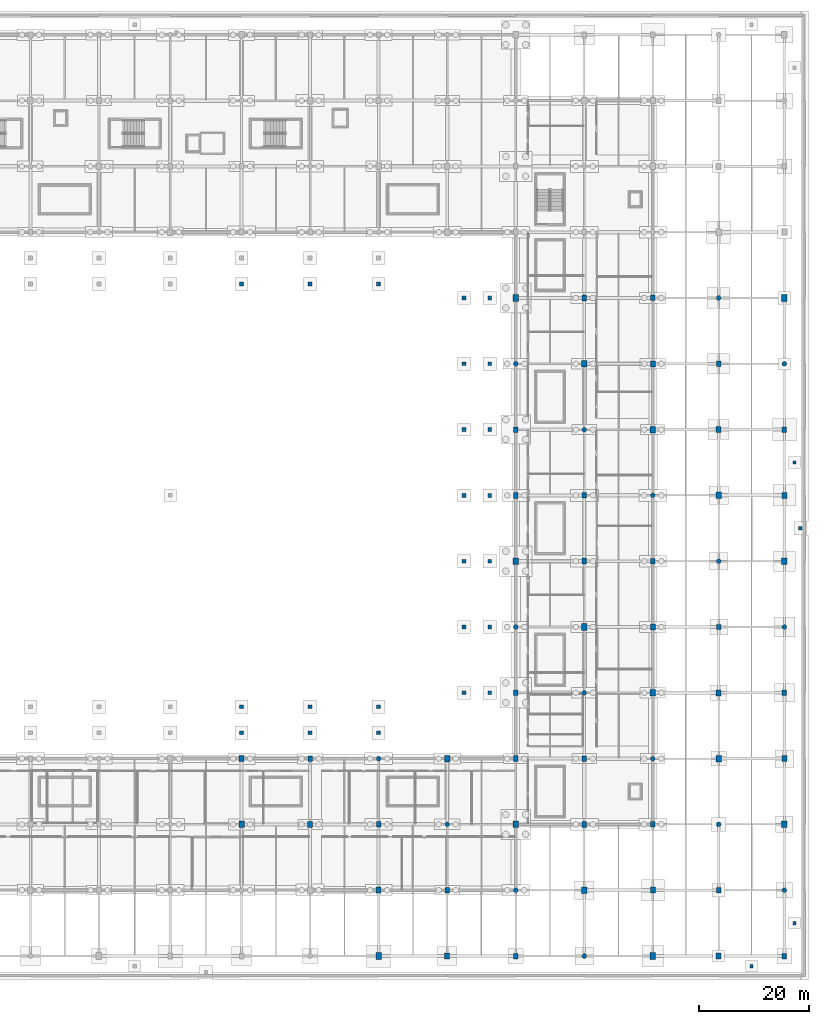
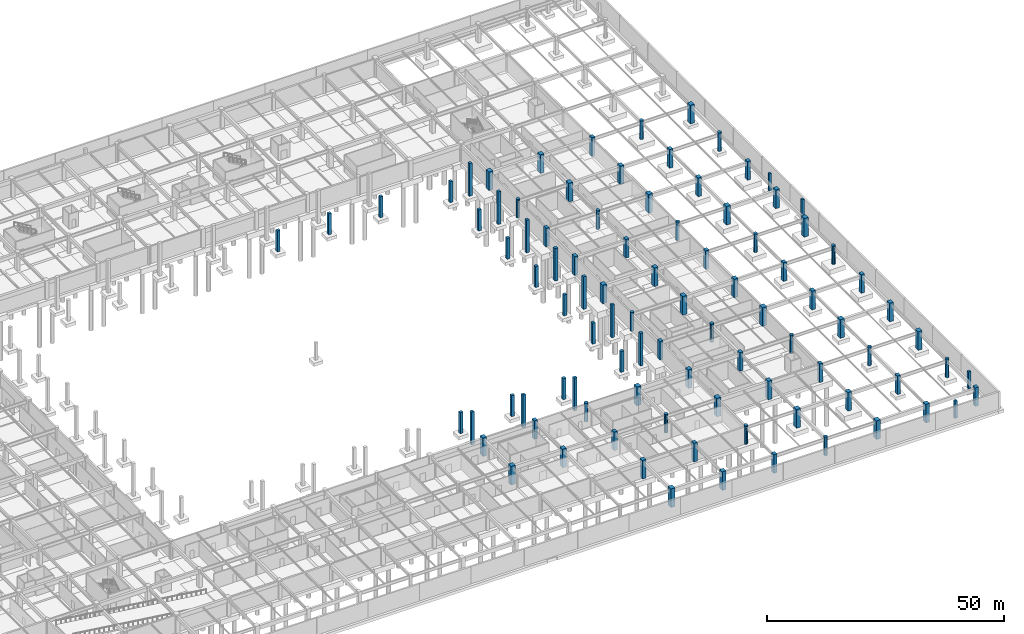
# One storey, part 13 of 56: 94 columns.
"""IFC4 building model written with IfcOpenShell, lengths in metres."""

from ifc_helpers import new_model, si_unit, direction, frame, origin, origin_2d, place, context, subcontext, project, spatial, rectangle, circle, extrude, material, material_profile, profile_set, type_object, element, save


model = new_model("IFC4")

# Units and contexts
model_context = context("Model", 3, precision=1e-05, world=origin(), true_north=direction((0.0, 1.0)))
body_context = subcontext(model_context, "Body", "Model", "MODEL_VIEW")
ifc_project = project(units=[si_unit("LENGTHUNIT", "METRE"), si_unit("AREAUNIT", "SQUARE_METRE"), si_unit("VOLUMEUNIT", "CUBIC_METRE"), si_unit("PLANEANGLEUNIT", "RADIAN"), si_unit("MASSUNIT", "GRAM", prefix="KILO")], contexts=[model_context])

# Site, building, storey
site_placement = place(None, origin())
site = spatial("IfcSite", under=ifc_project, at=site_placement, CompositionType="ELEMENT")
building_placement = place(site_placement, origin())
building = spatial("IfcBuilding", under=site, at=building_placement, Name="Kazenohara Klinker Stadium", CompositionType="ELEMENT")
storey_placement = place(building_placement, frame((0.0, 0.0, -4.800048828125)))
storey = spatial("IfcBuildingStorey", under=building, at=storey_placement, Name="B01", CompositionType="ELEMENT", Elevation=-4.800048828125)

# Columns
ifc_material = material(Name="Concrete C40/50", Category="concrete")
ifc_material_profile_1 = material_profile(ifc_material, rectangle(XDim=1.0, YDim=1.199951171875, at=origin_2d()), Name="RC-COL-1200x1000")
ifc_profile_set_1 = profile_set([ifc_material_profile_1], Name="Concrete C40/50")
column_type_1 = type_object("IfcColumnType", Name="COL-RC01", PredefinedType="COLUMN", material=ifc_profile_set_1)
for number, where, z_axis, x_axis, name in (
    (1, (125.0, 24.0, 0.0), (0.0, 0.0, 1.0), (1.0, 0.0, 0.0), "Column C01 B01 11/C"),
    (2, (150.0, 0.0, 0.0), (0.0, 0.0, 1.0), (1.0, 0.0, 0.0), "Column C01 B01 13/A"),
    (3, (162.5, 36.0, 0.0), (0.0, 0.0, 1.0), (1.0, 0.0, 0.0), "Column C01 B01 14/D"),
    (4, (175.0, 24.0, 0.0), (0.0, 0.0, 1.0), (1.0, 0.0, 0.0), "Column C01 B01 15/C"),
    (5, (175.0, 72.0, 0.0), (0.0, 0.0, 1.0), (1.0, 0.0, 0.0), "Column C01 B01 15/G"),
    (6, (175.0, 120.0, 0.0), (0.0, 0.0, 1.0), (1.0, 0.0, 0.0), "Column C01 B01 15/L"),
    (7, (187.5, 12.0, 0.0), (0.0, 0.0, 1.0), (1.0, 0.0, 0.0), "Column C01 B01 16/B"),
    (8, (187.5, 60.0, 0.0), (0.0, 0.0, 1.0), (1.0, 0.0, 0.0), "Column C01 B01 16/F"),
    (9, (187.5, 108.0, 0.0), (0.0, 0.0, 1.0), (1.0, 0.0, 0.0), "Column C01 B01 16/K"),
    (10, (200.0, 0.0, 0.0), (0.0, 0.0, 1.0), (1.0, 0.0, 0.0), "Column C01 B01 17/A"),
    (11, (200.0, 48.0, 0.0), (0.0, 0.0, 1.0), (1.0, 0.0, 0.0), "Column C01 B01 17/E"),
    (12, (200.0, 96.0, 0.0), (0.0, 0.0, 1.0), (1.0, 0.0, 0.0), "Column C01 B01 17/J"),
    (13, (212.0, 36.0, 0.0), (0.0, 0.0, 1.0), (1.0, 0.0, 0.0), "Column C01 B01 18/D"),
    (14, (212.0, 84.0, 0.0), (0.0, 0.0, 1.0), (1.0, 0.0, 0.0), "Column C01 B01 18/H"),
    (15, (224.0, 24.0, 0.0), (0.0, 0.0, 1.0), (1.0, 0.0, 0.0), "Column C01 B01 19/C"),
    (16, (224.0, 72.0, 0.0), (0.0, 0.0, 1.0), (1.0, 0.0, 0.0), "Column C01 B01 19/G"),
    (17, (224.0, 120.0, 0.0), (0.0, 0.0, 1.0), (1.0, 0.0, 0.0), "Column C01 B01 19/L"),
):
    element("IfcColumn", number, at=place(storey_placement, frame(where, z_axis=z_axis, x_axis=x_axis)), inside=storey, type_object=column_type_1, Name=name, PredefinedType="COLUMN", context=body_context, shape_type="SweptSolid", body=[
        extrude(rectangle(XDim=1.0, YDim=1.199951171875, at=origin_2d()), origin(), (0.0, 0.0, 1.0), 4.800048828125),
    ])
ifc_material_profile_2 = material_profile(ifc_material, rectangle(XDim=0.89990234375, YDim=1.10009765625, at=origin_2d()), Name="RC-COL-1100x900")
ifc_profile_set_2 = profile_set([ifc_material_profile_2], Name="Concrete C40/50")
column_type_2 = type_object("IfcColumnType", Name="COL-RC02", PredefinedType="COLUMN", material=ifc_profile_set_2)
for number, where, z_axis, x_axis, name in (
    (18, (125.0, 36.0, 0.0), (0.0, 0.0, 1.0), (1.0, 0.0, 0.0), "Column C02 B01 11/D"),
    (19, (137.5, 24.0, 0.0), (0.0, 0.0, 1.0), (1.0, 0.0, 0.0), "Column C02 B01 12/C"),
    (20, (150.0, 12.0, 0.0), (0.0, 0.0, 1.0), (1.0, 0.0, 0.0), "Column C02 B01 13/B"),
    (21, (162.5, 0.0, 0.0), (0.0, 0.0, 1.0), (1.0, 0.0, 0.0), "Column C02 B01 14/A"),
    (22, (175.0, 36.0, 0.0), (0.0, 0.0, 1.0), (1.0, 0.0, 0.0), "Column C02 B01 15/D"),
    (23, (175.0, 84.0, 0.0), (0.0, 0.0, 1.0), (1.0, 0.0, 0.0), "Column C02 B01 15/H"),
    (24, (187.5, 24.0, 0.0), (0.0, 0.0, 1.0), (1.0, 0.0, 0.0), "Column C02 B01 16/C"),
    (25, (187.5, 72.0, 0.0), (0.0, 0.0, 1.0), (1.0, 0.0, 0.0), "Column C02 B01 16/G"),
    (26, (187.5, 120.0, 0.0), (0.0, 0.0, 1.0), (1.0, 0.0, 0.0), "Column C02 B01 16/L"),
    (27, (200.0, 12.0, 0.0), (0.0, 0.0, 1.0), (1.0, 0.0, 0.0), "Column C02 B01 17/B"),
    (28, (200.0, 60.0, 0.0), (0.0, 0.0, 1.0), (1.0, 0.0, 0.0), "Column C02 B01 17/F"),
    (29, (200.0, 108.0, 0.0), (0.0, 0.0, 1.0), (1.0, 0.0, 0.0), "Column C02 B01 17/K"),
    (30, (212.0, 0.0, 0.0), (0.0, 0.0, 1.0), (1.0, 0.0, 0.0), "Column C02 B01 18/A"),
    (31, (212.0, 48.0, 0.0), (0.0, 0.0, 1.0), (1.0, 0.0, 0.0), "Column C02 B01 18/E"),
    (32, (212.0, 96.0, 0.0), (0.0, 0.0, 1.0), (1.0, 0.0, 0.0), "Column C02 B01 18/J"),
    (33, (224.0, 36.0, 0.0), (0.0, 0.0, 1.0), (1.0, 0.0, 0.0), "Column C02 B01 19/D"),
    (34, (224.0, 84.0, 0.0), (0.0, 0.0, 1.0), (1.0, 0.0, 0.0), "Column C02 B01 19/H"),
):
    element("IfcColumn", number, at=place(storey_placement, frame(where, z_axis=z_axis, x_axis=x_axis)), inside=storey, type_object=column_type_2, Name=name, PredefinedType="COLUMN", context=body_context, shape_type="SweptSolid", body=[
        extrude(rectangle(XDim=0.89990234375, YDim=1.10009765625, at=origin_2d()), origin(), (0.0, 0.0, 1.0), 4.800048828125),
    ])
ifc_material_profile_3 = material_profile(ifc_material, rectangle(XDim=0.800048828125, YDim=1.0, at=origin_2d()), Name="RC-COL-1000x800")
ifc_profile_set_3 = profile_set([ifc_material_profile_3], Name="Concrete C40/50")
column_type_3 = type_object("IfcColumnType", Name="COL-RC03", PredefinedType="COLUMN", material=ifc_profile_set_3)
for number, where, z_axis, x_axis, name in (
    (35, (137.5, 36.0, 0.0), (0.0, 0.0, 1.0), (1.0, 0.0, 0.0), "Column C03 B01 12/D"),
    (36, (150.0, 24.0, 0.0), (0.0, 0.0, 1.0), (1.0, 0.0, 0.0), "Column C03 B01 13/C"),
    (37, (162.5, 12.0, 0.0), (0.0, 0.0, 1.0), (1.0, 0.0, 0.0), "Column C03 B01 14/B"),
    (38, (175.0, 0.0, 0.0), (0.0, 0.0, 1.0), (1.0, 0.0, 0.0), "Column C03 B01 15/A"),
    (39, (175.0, 48.0, 0.0), (0.0, 0.0, 1.0), (1.0, 0.0, 0.0), "Column C03 B01 15/E"),
    (40, (175.0, 96.0, 0.0), (0.0, 0.0, 1.0), (1.0, 0.0, 0.0), "Column C03 B01 15/J"),
    (41, (187.5, 36.0, 0.0), (0.0, 0.0, 1.0), (1.0, 0.0, 0.0), "Column C03 B01 16/D"),
    (42, (187.5, 84.0, 0.0), (0.0, 0.0, 1.0), (1.0, 0.0, 0.0), "Column C03 B01 16/H"),
    (43, (200.0, 24.0, 0.0), (0.0, 0.0, 1.0), (1.0, 0.0, 0.0), "Column C03 B01 17/C"),
    (44, (200.0, 72.0, 0.0), (0.0, 0.0, 1.0), (1.0, 0.0, 0.0), "Column C03 B01 17/G"),
    (45, (200.0, 120.0, 0.0), (0.0, 0.0, 1.0), (1.0, 0.0, 0.0), "Column C03 B01 17/L"),
    (46, (212.0, 12.0, 0.0), (0.0, 0.0, 1.0), (1.0, 0.0, 0.0), "Column C03 B01 18/B"),
    (47, (212.0, 60.0, 0.0), (0.0, 0.0, 1.0), (1.0, 0.0, 0.0), "Column C03 B01 18/F"),
    (48, (212.0, 108.0, 0.0), (0.0, 0.0, 1.0), (1.0, 0.0, 0.0), "Column C03 B01 18/K"),
    (49, (224.0, 0.0, 0.0), (0.0, 0.0, 1.0), (1.0, 0.0, 0.0), "Column C03 B01 19/A"),
    (50, (224.0, 48.0, 0.0), (0.0, 0.0, 1.0), (1.0, 0.0, 0.0), "Column C03 B01 19/E"),
    (51, (224.0, 96.0, 0.0), (0.0, 0.0, 1.0), (1.0, 0.0, 0.0), "Column C03 B01 19/J"),
):
    element("IfcColumn", number, at=place(storey_placement, frame(where, z_axis=z_axis, x_axis=x_axis)), inside=storey, type_object=column_type_3, Name=name, PredefinedType="COLUMN", context=body_context, shape_type="SweptSolid", body=[
        extrude(rectangle(XDim=0.800048828125, YDim=1.0, at=origin_2d()), origin(), (0.0, 0.0, 1.0), 4.800048828125),
    ])
ifc_material_profile_4 = material_profile(ifc_material, rectangle(XDim=0.699951171875, YDim=0.699951171875, at=origin_2d()), Name="RC-COL-700x700")
ifc_profile_set_4 = profile_set([ifc_material_profile_4], Name="Concrete C40/50")
column_type_4 = type_object("IfcColumnType", Name="COL-RC06", PredefinedType="COLUMN", material=ifc_profile_set_4)
column_1_placement = place(storey_placement, frame((165.550048828125, 48.0, 0.0), z_axis=(0.0, 0.0, 1.0), x_axis=(1.0, 0.0, 0.0)))
element("IfcColumn", 52, at=column_1_placement, inside=storey, type_object=column_type_4, Name="Bowl moat raker pier C06 E-E", PredefinedType="COLUMN", context=body_context, shape_type="SweptSolid", body=[
    extrude(rectangle(XDim=0.699951171875, YDim=0.699951171875, at=origin_2d()), origin(), (0.0, 0.0, 1.0), 5.4013671875),
])
column_2_placement = place(storey_placement, frame((170.27490234375, 48.0, 0.0), z_axis=(0.0, 0.0, 1.0), x_axis=(1.0, 0.0, 0.0)))
element("IfcColumn", 53, at=column_2_placement, inside=storey, type_object=column_type_4, Name="Bowl mid-raker pier C06 E-E", PredefinedType="COLUMN", context=body_context, shape_type="SweptSolid", body=[
    extrude(rectangle(XDim=0.699951171875, YDim=0.699951171875, at=origin_2d()), origin(), (0.0, 0.0, 1.0), 8.4013671875),
])
column_3_placement = place(storey_placement, frame((165.550048828125, 60.0, 0.0), z_axis=(0.0, 0.0, 1.0), x_axis=(1.0, 0.0, 0.0)))
element("IfcColumn", 54, at=column_3_placement, inside=storey, type_object=column_type_4, Name="Bowl moat raker pier C06 E-F", PredefinedType="COLUMN", context=body_context, shape_type="SweptSolid", body=[
    extrude(rectangle(XDim=0.699951171875, YDim=0.699951171875, at=origin_2d()), origin(), (0.0, 0.0, 1.0), 5.4013671875),
])
column_4_placement = place(storey_placement, frame((170.27490234375, 60.0, 0.0), z_axis=(0.0, 0.0, 1.0), x_axis=(1.0, 0.0, 0.0)))
element("IfcColumn", 55, at=column_4_placement, inside=storey, type_object=column_type_4, Name="Bowl mid-raker pier C06 E-F", PredefinedType="COLUMN", context=body_context, shape_type="SweptSolid", body=[
    extrude(rectangle(XDim=0.699951171875, YDim=0.699951171875, at=origin_2d()), origin(), (0.0, 0.0, 1.0), 8.4013671875),
])
column_5_placement = place(storey_placement, frame((165.550048828125, 72.0, 0.0), z_axis=(0.0, 0.0, 1.0), x_axis=(1.0, 0.0, 0.0)))
element("IfcColumn", 56, at=column_5_placement, inside=storey, type_object=column_type_4, Name="Bowl moat raker pier C06 E-G", PredefinedType="COLUMN", context=body_context, shape_type="SweptSolid", body=[
    extrude(rectangle(XDim=0.699951171875, YDim=0.699951171875, at=origin_2d()), origin(), (0.0, 0.0, 1.0), 5.4013671875),
])
column_6_placement = place(storey_placement, frame((170.27490234375, 72.0, 0.0), z_axis=(0.0, 0.0, 1.0), x_axis=(1.0, 0.0, 0.0)))
element("IfcColumn", 57, at=column_6_placement, inside=storey, type_object=column_type_4, Name="Bowl mid-raker pier C06 E-G", PredefinedType="COLUMN", context=body_context, shape_type="SweptSolid", body=[
    extrude(rectangle(XDim=0.699951171875, YDim=0.699951171875, at=origin_2d()), origin(), (0.0, 0.0, 1.0), 8.4013671875),
])
column_7_placement = place(storey_placement, frame((165.550048828125, 84.0, 0.0), z_axis=(0.0, 0.0, 1.0), x_axis=(1.0, 0.0, 0.0)))
element("IfcColumn", 58, at=column_7_placement, inside=storey, type_object=column_type_4, Name="Bowl moat raker pier C06 E-H", PredefinedType="COLUMN", context=body_context, shape_type="SweptSolid", body=[
    extrude(rectangle(XDim=0.699951171875, YDim=0.699951171875, at=origin_2d()), origin(), (0.0, 0.0, 1.0), 5.4013671875),
])
column_8_placement = place(storey_placement, frame((170.27490234375, 84.0, 0.0), z_axis=(0.0, 0.0, 1.0), x_axis=(1.0, 0.0, 0.0)))
element("IfcColumn", 59, at=column_8_placement, inside=storey, type_object=column_type_4, Name="Bowl mid-raker pier C06 E-H", PredefinedType="COLUMN", context=body_context, shape_type="SweptSolid", body=[
    extrude(rectangle(XDim=0.699951171875, YDim=0.699951171875, at=origin_2d()), origin(), (0.0, 0.0, 1.0), 8.4013671875),
])
column_9_placement = place(storey_placement, frame((165.550048828125, 96.0, 0.0), z_axis=(0.0, 0.0, 1.0), x_axis=(1.0, 0.0, 0.0)))
element("IfcColumn", 60, at=column_9_placement, inside=storey, type_object=column_type_4, Name="Bowl moat raker pier C06 E-J", PredefinedType="COLUMN", context=body_context, shape_type="SweptSolid", body=[
    extrude(rectangle(XDim=0.699951171875, YDim=0.699951171875, at=origin_2d()), origin(), (0.0, 0.0, 1.0), 5.4013671875),
])
column_10_placement = place(storey_placement, frame((170.27490234375, 96.0, 0.0), z_axis=(0.0, 0.0, 1.0), x_axis=(1.0, 0.0, 0.0)))
element("IfcColumn", 61, at=column_10_placement, inside=storey, type_object=column_type_4, Name="Bowl mid-raker pier C06 E-J", PredefinedType="COLUMN", context=body_context, shape_type="SweptSolid", body=[
    extrude(rectangle(XDim=0.699951171875, YDim=0.699951171875, at=origin_2d()), origin(), (0.0, 0.0, 1.0), 8.4013671875),
])
column_11_placement = place(storey_placement, frame((165.550048828125, 108.0, 0.0), z_axis=(0.0, 0.0, 1.0), x_axis=(1.0, 0.0, 0.0)))
element("IfcColumn", 62, at=column_11_placement, inside=storey, type_object=column_type_4, Name="Bowl moat raker pier C06 E-K", PredefinedType="COLUMN", context=body_context, shape_type="SweptSolid", body=[
    extrude(rectangle(XDim=0.699951171875, YDim=0.699951171875, at=origin_2d()), origin(), (0.0, 0.0, 1.0), 5.4013671875),
])
column_12_placement = place(storey_placement, frame((170.27490234375, 108.0, 0.0), z_axis=(0.0, 0.0, 1.0), x_axis=(1.0, 0.0, 0.0)))
element("IfcColumn", 63, at=column_12_placement, inside=storey, type_object=column_type_4, Name="Bowl mid-raker pier C06 E-K", PredefinedType="COLUMN", context=body_context, shape_type="SweptSolid", body=[
    extrude(rectangle(XDim=0.699951171875, YDim=0.699951171875, at=origin_2d()), origin(), (0.0, 0.0, 1.0), 8.4013671875),
])
column_13_placement = place(storey_placement, frame((165.550048828125, 120.0, 0.0), z_axis=(0.0, 0.0, 1.0), x_axis=(1.0, 0.0, 0.0)))
element("IfcColumn", 64, at=column_13_placement, inside=storey, type_object=column_type_4, Name="Bowl moat raker pier C06 E-L", PredefinedType="COLUMN", context=body_context, shape_type="SweptSolid", body=[
    extrude(rectangle(XDim=0.699951171875, YDim=0.699951171875, at=origin_2d()), origin(), (0.0, 0.0, 1.0), 5.4013671875),
])
column_14_placement = place(storey_placement, frame((170.27490234375, 120.0, 0.0), z_axis=(0.0, 0.0, 1.0), x_axis=(1.0, 0.0, 0.0)))
element("IfcColumn", 65, at=column_14_placement, inside=storey, type_object=column_type_4, Name="Bowl mid-raker pier C06 E-L", PredefinedType="COLUMN", context=body_context, shape_type="SweptSolid", body=[
    extrude(rectangle(XDim=0.699951171875, YDim=0.699951171875, at=origin_2d()), origin(), (0.0, 0.0, 1.0), 8.4013671875),
])
column_15_placement = place(storey_placement, frame((125.0, 45.449951171875, 0.0), z_axis=(0.0, 0.0, 1.0), x_axis=(1.0, 0.0, 0.0)))
element("IfcColumn", 66, at=column_15_placement, inside=storey, type_object=column_type_4, Name="Bowl moat raker pier C06 S-11", PredefinedType="COLUMN", context=body_context, shape_type="SweptSolid", body=[
    extrude(rectangle(XDim=0.699951171875, YDim=0.699951171875, at=origin_2d()), origin(), (0.0, 0.0, 1.0), 5.4013671875),
])
column_16_placement = place(storey_placement, frame((125.0, 40.72509765625, 0.0), z_axis=(0.0, 0.0, 1.0), x_axis=(1.0, 0.0, 0.0)))
element("IfcColumn", 67, at=column_16_placement, inside=storey, type_object=column_type_4, Name="Bowl mid-raker pier C06 S-11", PredefinedType="COLUMN", context=body_context, shape_type="SweptSolid", body=[
    extrude(rectangle(XDim=0.699951171875, YDim=0.699951171875, at=origin_2d()), origin(), (0.0, 0.0, 1.0), 8.4013671875),
])
for number, where, z_axis, x_axis, name in (
    (68, (125.0, 122.550048828125, 0.0), (0.0, 0.0, 1.0), (1.0, 0.0, 0.0), "Bowl moat raker pier C06 N-11"),
    (69, (137.5, 45.449951171875, 0.0), (0.0, 0.0, 1.0), (1.0, 0.0, 0.0), "Bowl moat raker pier C06 S-12"),
):
    element("IfcColumn", number, at=place(storey_placement, frame(where, z_axis=z_axis, x_axis=x_axis)), inside=storey, type_object=column_type_4, Name=name, PredefinedType="COLUMN", context=body_context, shape_type="SweptSolid", body=[
        extrude(rectangle(XDim=0.699951171875, YDim=0.699951171875, at=origin_2d()), origin(), (0.0, 0.0, 1.0), 5.4013671875),
    ])
column_17_placement = place(storey_placement, frame((137.5, 40.72509765625, 0.0), z_axis=(0.0, 0.0, 1.0), x_axis=(1.0, 0.0, 0.0)))
element("IfcColumn", 70, at=column_17_placement, inside=storey, type_object=column_type_4, Name="Bowl mid-raker pier C06 S-12", PredefinedType="COLUMN", context=body_context, shape_type="SweptSolid", body=[
    extrude(rectangle(XDim=0.699951171875, YDim=0.699951171875, at=origin_2d()), origin(), (0.0, 0.0, 1.0), 8.4013671875),
])
for number, where, z_axis, x_axis, name in (
    (71, (137.5, 122.550048828125, 0.0), (0.0, 0.0, 1.0), (1.0, 0.0, 0.0), "Bowl moat raker pier C06 N-12"),
    (72, (150.0, 45.449951171875, 0.0), (0.0, 0.0, 1.0), (1.0, 0.0, 0.0), "Bowl moat raker pier C06 S-13"),
):
    element("IfcColumn", number, at=place(storey_placement, frame(where, z_axis=z_axis, x_axis=x_axis)), inside=storey, type_object=column_type_4, Name=name, PredefinedType="COLUMN", context=body_context, shape_type="SweptSolid", body=[
        extrude(rectangle(XDim=0.699951171875, YDim=0.699951171875, at=origin_2d()), origin(), (0.0, 0.0, 1.0), 5.4013671875),
    ])
column_18_placement = place(storey_placement, frame((150.0, 40.72509765625, 0.0), z_axis=(0.0, 0.0, 1.0), x_axis=(1.0, 0.0, 0.0)))
element("IfcColumn", 73, at=column_18_placement, inside=storey, type_object=column_type_4, Name="Bowl mid-raker pier C06 S-13", PredefinedType="COLUMN", context=body_context, shape_type="SweptSolid", body=[
    extrude(rectangle(XDim=0.699951171875, YDim=0.699951171875, at=origin_2d()), origin(), (0.0, 0.0, 1.0), 8.4013671875),
])
column_19_placement = place(storey_placement, frame((150.0, 122.550048828125, 0.0), z_axis=(0.0, 0.0, 1.0), x_axis=(1.0, 0.0, 0.0)))
element("IfcColumn", 74, at=column_19_placement, inside=storey, type_object=column_type_4, Name="Bowl moat raker pier C06 N-13", PredefinedType="COLUMN", context=body_context, shape_type="SweptSolid", body=[
    extrude(rectangle(XDim=0.699951171875, YDim=0.699951171875, at=origin_2d()), origin(), (0.0, 0.0, 1.0), 5.4013671875),
])
ifc_material_profile_5 = material_profile(ifc_material, rectangle(XDim=0.60009765625, YDim=0.60009765625, at=origin_2d()), Name="RC-COL-600x600")
ifc_profile_set_5 = profile_set([ifc_material_profile_5], Name="Concrete C40/50")
column_type_5 = type_object("IfcColumnType", Name="COL-RC07", PredefinedType="COLUMN", material=ifc_profile_set_5)
for number, where, z_axis, x_axis, name in (
    (75, (225.85009765625, 6.0, 0.0), (0.0, 0.0, 1.0), (1.0, 0.0, 0.0), "Exterior plinth support pier C07 PLAZA-EAST-1"),
    (76, (225.85009765625, 90.0, 0.0), (0.0, 0.0, 1.0), (1.0, 0.0, 0.0), "Exterior plinth support pier C07 PLAZA-EAST-2"),
    (77, (218.0, -1.85009765625, 0.0), (0.0, 0.0, 1.0), (1.0, 0.0, 0.0), "Exterior plinth support pier C07 PLAZA-SOUTH-3"),
):
    element("IfcColumn", number, at=place(storey_placement, frame(where, z_axis=z_axis, x_axis=x_axis)), inside=storey, type_object=column_type_5, Name=name, PredefinedType="COLUMN", context=body_context, shape_type="SweptSolid", body=[
        extrude(rectangle(XDim=0.60009765625, YDim=0.60009765625, at=origin_2d()), origin(), (0.0, 0.0, 1.0), 4.4599609375),
    ])
column_20_placement = place(storey_placement, frame((226.89990234375, 78.0, 0.0), z_axis=(0.0, 0.0, 1.0), x_axis=(1.0, 0.0, 0.0)))
element("IfcColumn", 78, at=column_20_placement, inside=storey, type_object=column_type_5, Name="Barrier-free ramp support pier E1", PredefinedType="COLUMN", context=body_context, shape_type="SweptSolid", body=[
    extrude(rectangle(XDim=0.60009765625, YDim=0.60009765625, at=origin_2d()), origin(), (0.0, 0.0, 1.0), 4.699951171875),
])
ifc_material_profile_6 = material_profile(ifc_material, circle(Radius=0.425048828125, at=origin_2d()), Name="RC-COL-D850")
ifc_profile_set_6 = profile_set([ifc_material_profile_6], Name="Concrete C40/50")
column_type_6 = type_object("IfcColumnType", Name="COL-RC08", PredefinedType="COLUMN", material=ifc_profile_set_6)
for number, where, z_axis, x_axis, name in (
    (79, (150.0, 36.0, 0.0), (0.0, 0.0, 1.0), (1.0, 0.0, 0.0), "Column C08 B01 13/D"),
    (80, (162.5, 24.0, 0.0), (0.0, 0.0, 1.0), (1.0, 0.0, 0.0), "Column C08 B01 14/C"),
    (81, (175.0, 12.0, 0.0), (0.0, 0.0, 1.0), (1.0, 0.0, 0.0), "Column C08 B01 15/B"),
    (82, (175.0, 60.0, 0.0), (0.0, 0.0, 1.0), (1.0, 0.0, 0.0), "Column C08 B01 15/F"),
    (83, (175.0, 108.0, 0.0), (0.0, 0.0, 1.0), (1.0, 0.0, 0.0), "Column C08 B01 15/K"),
    (84, (187.5, 0.0, 0.0), (0.0, 0.0, 1.0), (1.0, 0.0, 0.0), "Column C08 B01 16/A"),
    (85, (187.5, 48.0, 0.0), (0.0, 0.0, 1.0), (1.0, 0.0, 0.0), "Column C08 B01 16/E"),
    (86, (187.5, 96.0, 0.0), (0.0, 0.0, 1.0), (1.0, 0.0, 0.0), "Column C08 B01 16/J"),
    (87, (200.0, 36.0, 0.0), (0.0, 0.0, 1.0), (1.0, 0.0, 0.0), "Column C08 B01 17/D"),
    (88, (200.0, 84.0, 0.0), (0.0, 0.0, 1.0), (1.0, 0.0, 0.0), "Column C08 B01 17/H"),
    (89, (212.0, 24.0, 0.0), (0.0, 0.0, 1.0), (1.0, 0.0, 0.0), "Column C08 B01 18/C"),
    (90, (212.0, 72.0, 0.0), (0.0, 0.0, 1.0), (1.0, 0.0, 0.0), "Column C08 B01 18/G"),
    (91, (212.0, 120.0, 0.0), (0.0, 0.0, 1.0), (1.0, 0.0, 0.0), "Column C08 B01 18/L"),
    (92, (224.0, 12.0, 0.0), (0.0, 0.0, 1.0), (1.0, 0.0, 0.0), "Column C08 B01 19/B"),
    (93, (224.0, 60.0, 0.0), (0.0, 0.0, 1.0), (1.0, 0.0, 0.0), "Column C08 B01 19/F"),
    (94, (224.0, 108.0, 0.0), (0.0, 0.0, 1.0), (1.0, 0.0, 0.0), "Column C08 B01 19/K"),
):
    element("IfcColumn", number, at=place(storey_placement, frame(where, z_axis=z_axis, x_axis=x_axis)), inside=storey, type_object=column_type_6, Name=name, PredefinedType="COLUMN", context=body_context, shape_type="SweptSolid", body=[
        extrude(circle(Radius=0.425048828125, at=origin_2d()), origin(), (0.0, 0.0, 1.0), 4.800048828125),
    ])

save(model, "model.ifc")
